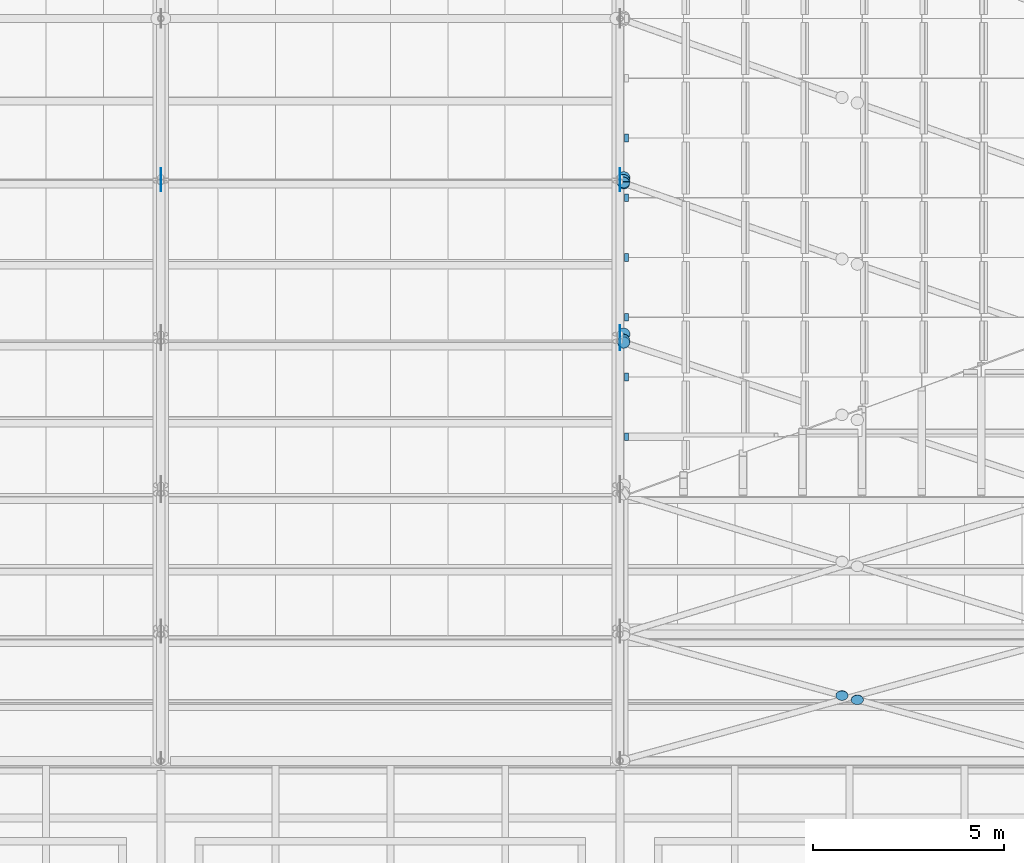
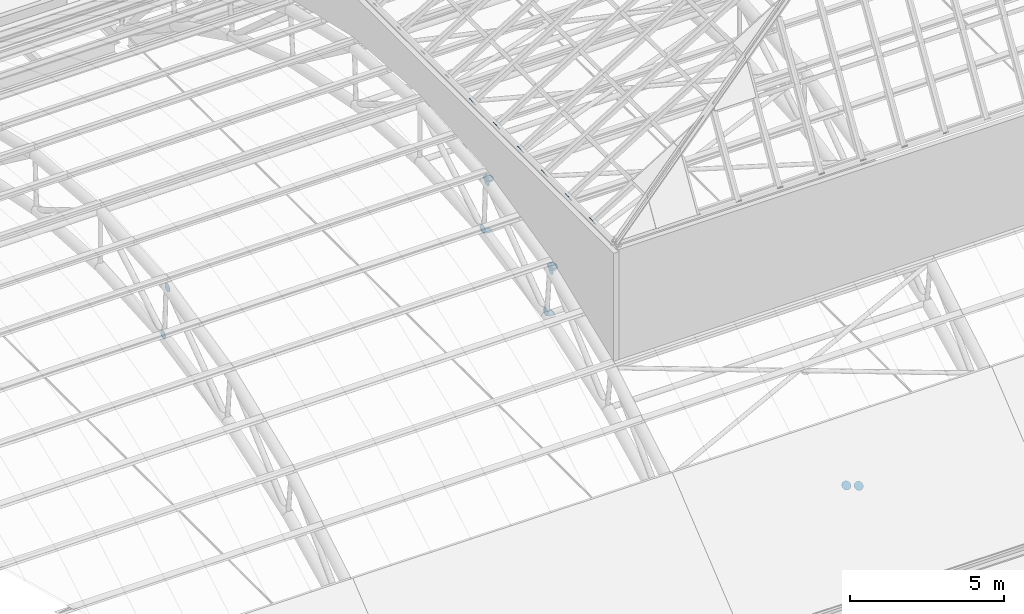
# One storey, part 87 of 110: 22 discrete accessories.
"""IFC4 building model written with IfcOpenShell, lengths in metres."""

from ifc_helpers import new_model, si_unit, direction, frame, origin, origin_2d, place, context, subcontext, project, spatial, rectangle, circle, extrude, material, layer, layer_set, type_object, element, save


model = new_model("IFC4")

# Units and contexts
model_context = context("Model", 3, precision=1e-05, world=origin(), true_north=direction((0.0, 1.0)))
body_context = subcontext(model_context, "Body", "Model", "MODEL_VIEW")
ifc_project = project(units=[si_unit("LENGTHUNIT", "METRE"), si_unit("AREAUNIT", "SQUARE_METRE"), si_unit("VOLUMEUNIT", "CUBIC_METRE"), si_unit("PLANEANGLEUNIT", "RADIAN"), si_unit("MASSUNIT", "GRAM", prefix="KILO")], contexts=[model_context])

# Site, building, storey
site_placement = place(None, origin())
site = spatial("IfcSite", under=ifc_project, at=site_placement, CompositionType="ELEMENT")
building_placement = place(site_placement, origin())
building = spatial("IfcBuilding", under=site, at=building_placement, Name="Windward Yard Aquatics Centre", CompositionType="ELEMENT")
storey_placement = place(building_placement, frame((0.0, 0.0, 22.60009765625)))
storey = spatial("IfcBuildingStorey", under=building, at=storey_placement, Name="L05", CompositionType="ELEMENT", Elevation=22.60009765625)

# Discrete accessories
ifc_material = material(Name="Steel S355", Category="steel")
ifc_layer_1 = layer(ifc_material, 0.010009765625)
ifc_layer_set_1 = layer_set([ifc_layer_1], Name="End cap plate 10 mm RHS203.2x203.2x9.5")
discrete_accessory_type_1 = type_object("IfcDiscreteAccessoryType", Name="End cap plate 10 mm RHS203.2x203.2x9.5", PredefinedType="USERDEFINED", material=ifc_layer_set_1)
for number, where, z_axis, x_axis, name in (
    (1, (96.163818359375, 50.07177734375, 10.77197265625), (0.857492925713, 0.0, 0.514495755428), (0.0, 1.0, 0.0), "End cap"),
    (2, (96.163818359375, 54.75537109375, 10.77197265625), (0.857492925713, 0.0, 0.514495755428), (0.0, 1.0, 0.0), "End cap"),
    (3, (96.163818359375, 53.194091796875, 10.77197265625), (0.857492925713, 0.0, 0.514495755428), (0.0, 1.0, 0.0), "End cap"),
    (4, (96.163818359375, 56.31640625, 10.77197265625), (0.857492925713, 0.0, 0.514495755428), (0.0, 1.0, 0.0), "End cap"),
    (5, (96.163818359375, 51.6328125, 10.77197265625), (0.857492925713, 0.0, 0.514495755428), (0.0, 1.0, 0.0), "End cap"),
    (6, (96.163818359375, 57.877685546875, 10.77197265625), (0.857492925713, 0.0, 0.514495755428), (0.0, 1.0, 0.0), "End cap"),
):
    element("IfcDiscreteAccessory", number, at=place(storey_placement, frame(where, z_axis=z_axis, x_axis=x_axis)), inside=storey, type_object=discrete_accessory_type_1, Name=name, ObjectType="END CAP", PredefinedType="USERDEFINED", context=body_context, shape_type="SweptSolid", body=[
        extrude(rectangle(XDim=0.203125, YDim=0.203125, at=origin_2d()), origin(), (0.0, 0.0, 1.0), 0.010009765625),
    ])
ifc_layer_2 = layer(ifc_material, 0.011962890625)
ifc_layer_set_2 = layer_set([ifc_layer_2], Name="Gusset plate 320 mm disc 12 mm")
discrete_accessory_type_2 = type_object("IfcDiscreteAccessoryType", Name="Gusset plate 320 mm disc 12 mm", PredefinedType="USERDEFINED", material=ifc_layer_set_2)
for number, where, z_axis, x_axis, name in (
    (7, (83.993896484375, 56.6513671875, 8.41015625), (1.0, 0.0, 0.0), (0.0, 1.0, 0.0), "Gusset plate"),
    (8, (83.993896484375, 56.92529296875, 6.374755859375), (1.0, 0.0, 0.0), (0.0, 1.0, 0.0), "Gusset plate"),
    (9, (95.993896484375, 52.48779296875, 7.4306640625), (1.0, 0.0, 0.0), (0.0, 1.0, 0.0), "Gusset plate"),
    (10, (95.993896484375, 52.83056640625, 5.568603515625), (1.0, 0.0, 0.0), (0.0, 1.0, 0.0), "Gusset plate"),
    (11, (95.993896484375, 56.6513671875, 8.41015625), (1.0, 0.0, 0.0), (0.0, 1.0, 0.0), "Gusset plate"),
    (12, (95.993896484375, 56.92529296875, 6.374755859375), (1.0, 0.0, 0.0), (0.0, 1.0, 0.0), "Gusset plate"),
    (13, (96.10009765625, 52.5625, 7.49072265625), (0.0, 0.0, 1.0), (1.0, 0.0, 0.0), "Gusset plate"),
):
    element("IfcDiscreteAccessory", number, at=place(storey_placement, frame(where, z_axis=z_axis, x_axis=x_axis)), inside=storey, type_object=discrete_accessory_type_2, Name=name, ObjectType="GUSSET PLATE", PredefinedType="USERDEFINED", context=body_context, shape_type="SweptSolid", body=[
        extrude(circle(Radius=0.159912109375, at=origin_2d()), origin(), (0.0, 0.0, 1.0), 0.01220703125),
    ])
for number, where, z_axis, x_axis, name in (
    (14, (96.10009765625, 56.7314453125, 8.4638671875), (0.0, 0.0, 1.0), (1.0, 0.0, 0.0), "Gusset plate"),
    (15, (101.79931640625, 43.30517578125, 2.408935546875), (0.0, 0.632126727472, -0.774865020772), (-1.0, 0.0, 0.0), "Gusset plate"),
):
    element("IfcDiscreteAccessory", number, at=place(storey_placement, frame(where, z_axis=z_axis, x_axis=x_axis)), inside=storey, type_object=discrete_accessory_type_2, Name=name, ObjectType="GUSSET PLATE", PredefinedType="USERDEFINED", context=body_context, shape_type="SweptSolid", body=[
        extrude(circle(Radius=0.159912109375, at=origin_2d()), origin(), (0.0, 0.0, 1.0), 0.011962890625),
    ])
for number, where, z_axis, x_axis, name in (
    (16, (102.20068359375, 43.194580078125, 2.318115234375), (0.0, 0.644135745783, -0.764911198117), (-1.0, 0.0, 0.0), "Gusset plate"),
    (17, (96.09423828125, 52.529052734375, 7.489990234375), (0.0, 0.38176015442, -0.92426142649), (-1.0, 0.0, 0.0), "Gusset plate"),
):
    element("IfcDiscreteAccessory", number, at=place(storey_placement, frame(where, z_axis=z_axis, x_axis=x_axis)), inside=storey, type_object=discrete_accessory_type_2, Name=name, ObjectType="GUSSET PLATE", PredefinedType="USERDEFINED", context=body_context, shape_type="SweptSolid", body=[
        extrude(circle(Radius=0.159912109375, at=origin_2d()), origin(), (0.0, 0.0, 1.0), 0.01220703125),
    ])
for number, where, z_axis, x_axis, name in (
    (18, (96.09423828125, 52.593994140625, 7.51025390625), (0.0, 0.223376156329, -0.974732318528), (-1.0, 0.0, 0.0), "Gusset plate"),
    (19, (96.09423828125, 56.697509765625, 8.468017578125), (0.0, 0.223376156329, -0.974732318528), (-1.0, 0.0, 0.0), "Gusset plate"),
    (20, (96.09423828125, 56.7646484375, 8.478271484375), (0.0, 0.06111006328, -0.998131033565), (-1.0, 0.0, 0.0), "Gusset plate"),
    (21, (96.10009765625, 52.750244140625, 5.5029296875), (0.0, 0.0, 1.0), (1.0, 0.0, 0.0), "Gusset plate"),
    (22, (96.10009765625, 56.83935546875, 6.317626953125), (0.0, 0.0, 1.0), (1.0, 0.0, 0.0), "Gusset plate"),
):
    element("IfcDiscreteAccessory", number, at=place(storey_placement, frame(where, z_axis=z_axis, x_axis=x_axis)), inside=storey, type_object=discrete_accessory_type_2, Name=name, ObjectType="GUSSET PLATE", PredefinedType="USERDEFINED", context=body_context, shape_type="SweptSolid", body=[
        extrude(circle(Radius=0.159912109375, at=origin_2d()), origin(), (0.0, 0.0, 1.0), 0.011962890625),
    ])

save(model, "model.ifc")
